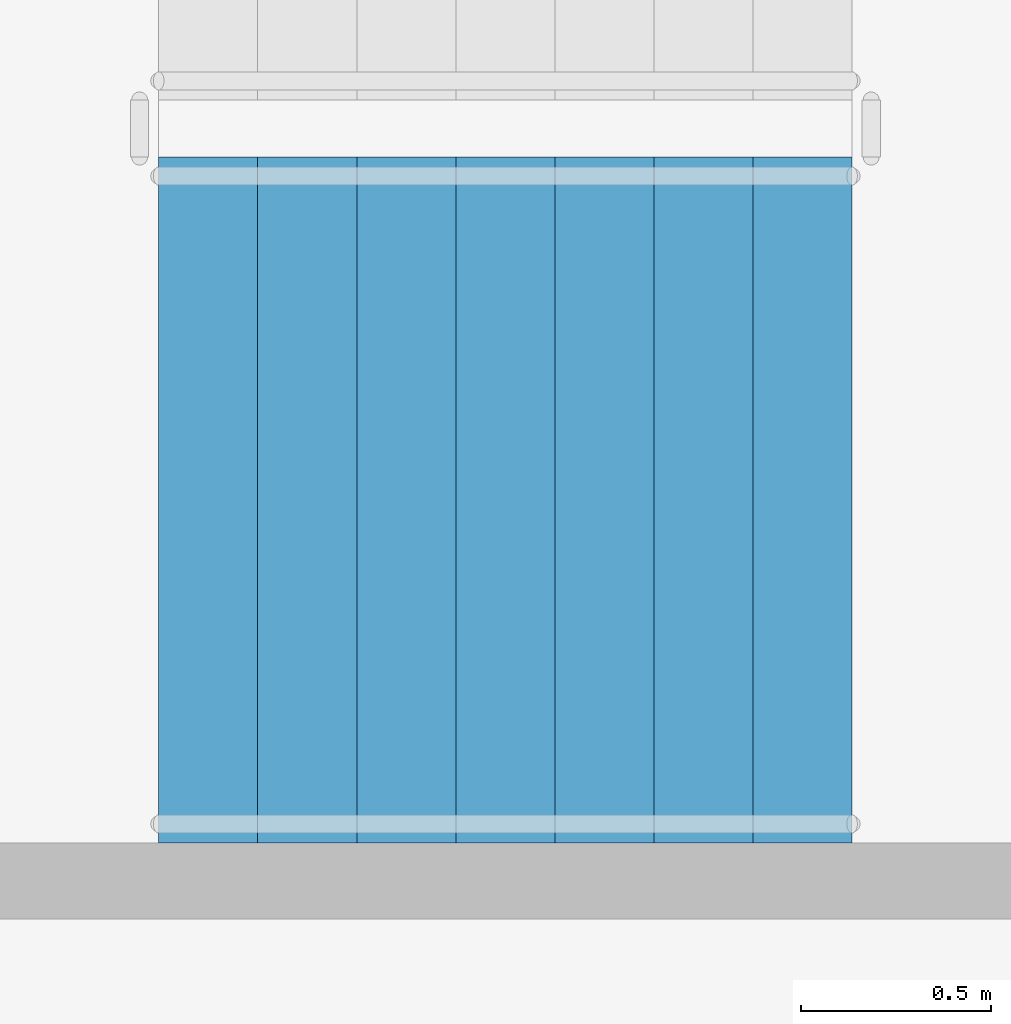
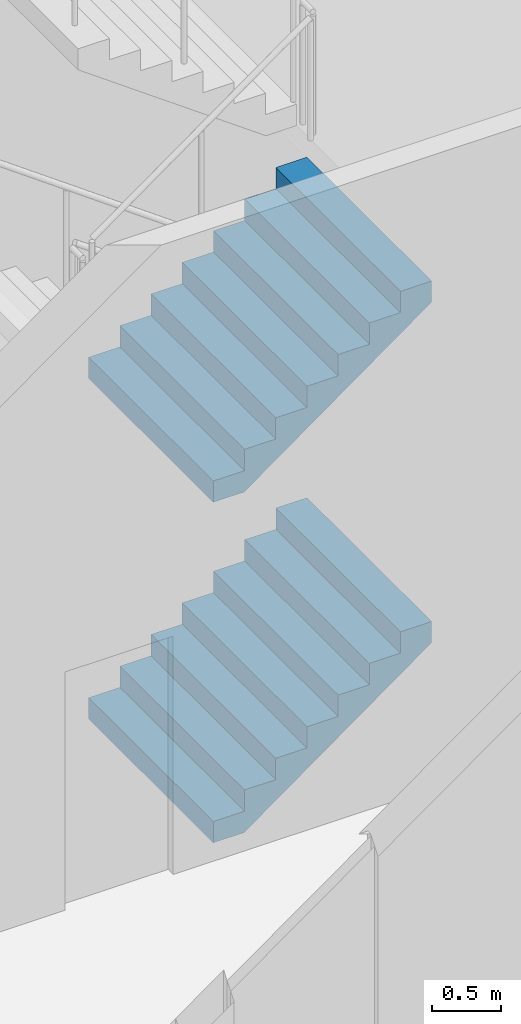
# One storey, part 48 of 75: 2 stair flights, 1 element without a shape of its own.
"""IFC4 building model written with IfcOpenShell, lengths in metres."""

from ifc_helpers import new_model, si_unit, direction, frame, origin, place, context, subcontext, project, spatial, faceted_brep, material, type_object, element, aggregate, save


model = new_model("IFC4")

# Units and contexts
model_context = context("Model", 3, precision=1e-05, world=origin(), true_north=direction((0.0, 1.0)))
body_context = subcontext(model_context, "Body", "Model", "MODEL_VIEW")
ifc_project = project(units=[si_unit("LENGTHUNIT", "METRE"), si_unit("AREAUNIT", "SQUARE_METRE"), si_unit("VOLUMEUNIT", "CUBIC_METRE"), si_unit("PLANEANGLEUNIT", "RADIAN"), si_unit("MASSUNIT", "GRAM", prefix="KILO")], contexts=[model_context])

# Site, building, storey
site_placement = place(None, origin())
site = spatial("IfcSite", under=ifc_project, at=site_placement, CompositionType="ELEMENT")
building_placement = place(site_placement, origin())
building = spatial("IfcBuilding", under=site, at=building_placement, Name="Ipe Terrace Towers", CompositionType="ELEMENT")
storey_placement = place(building_placement, origin())
storey = spatial("IfcBuildingStorey", under=building, at=storey_placement, Name="L00", CompositionType="ELEMENT", Elevation=0.0)

# Stair, stair flights
ifc_material_1 = material(Name="Concrete C30/37", Category="concrete")
stair_type = type_object("IfcStairType", Name="Protected exit stair", PredefinedType="HALF_TURN_STAIR", material=ifc_material_1)
stair_placement = place(storey_placement, origin())
stair = element("IfcStair", 1, at=stair_placement, inside=storey, type_object=stair_type, Name="L00 Podium exit stair PS5", PredefinedType="HALF_TURN_STAIR")
ifc_material_2 = material(Name="Concrete C30/37", Category="concrete")
stair_flight_type = type_object("IfcStairFlightType", Name="Exit stair flight 1800", PredefinedType="STRAIGHT", material=ifc_material_2)
stair_flight_1_placement = place(storey_placement, frame((-3.75, -22.5, 0.0), z_axis=(0.0, 0.0, 1.0), x_axis=(1.0, 0.0, 0.0)))
stair_flight_1 = element("IfcStairFlight", 2, at=stair_flight_1_placement, type_object=stair_flight_type, Name="PS5 flight 1", NumberOfRisers=8, NumberOfTreads=7, PredefinedType="STRAIGHT", RiserHeight=0.1875, TreadLength=0.26, context=body_context, shape_type="Brep", body=[
    faceted_brep([(0.25634765625, -0.89990234375, 0.0), (1.820068359375, -0.89990234375, 1.127685546875), (1.820068359375, -0.89990234375, 1.3125), (1.56005859375, -0.89990234375, 1.3125), (1.56005859375, -0.89990234375, 1.125), (1.300048828125, -0.89990234375, 1.125), (1.300048828125, -0.89990234375, 0.9375), (1.0400390625, -0.89990234375, 0.9375), (1.0400390625, -0.89990234375, 0.75), (0.780029296875, -0.89990234375, 0.75), (0.780029296875, -0.89990234375, 0.5625), (0.52001953125, -0.89990234375, 0.5625), (0.52001953125, -0.89990234375, 0.375), (0.260009765625, -0.89990234375, 0.375), (0.260009765625, -0.89990234375, 0.1875), (0.0, -0.89990234375, 0.1875), (0.0, -0.89990234375, 0.0), (0.0, 0.89990234375, 0.0), (0.0, 0.89990234375, 0.1875), (0.260009765625, 0.89990234375, 0.1875), (0.260009765625, 0.89990234375, 0.375), (0.52001953125, 0.89990234375, 0.375), (0.52001953125, 0.89990234375, 0.5625), (0.780029296875, 0.89990234375, 0.5625), (0.780029296875, 0.89990234375, 0.75), (1.0400390625, 0.89990234375, 0.75), (1.0400390625, 0.89990234375, 0.9375), (1.300048828125, 0.89990234375, 0.9375), (1.300048828125, 0.89990234375, 1.125), (1.56005859375, 0.89990234375, 1.125), (1.56005859375, 0.89990234375, 1.3125), (1.820068359375, 0.89990234375, 1.3125), (1.820068359375, 0.89990234375, 1.127685546875), (0.25634765625, 0.89990234375, 0.0), (0.0, -0.300048828125, 0.1875), (0.0, -0.1201171875, 0.1875), (0.0, -0.06005859375, 0.1875), (0.0, -0.030029296875, 0.1875), (0.0, -0.010009765625, 0.1875), (0.0, 0.0, 0.1875), (0.0, 0.010009765625, 0.1875), (0.0, 0.030029296875, 0.1875), (0.0, 0.06005859375, 0.1875), (0.0, 0.1201171875, 0.1875), (0.0, 0.300048828125, 0.1875), (0.0, 0.300048828125, 0.0), (0.0, 0.1201171875, 0.0), (0.0, 0.06005859375, 0.0), (0.0, 0.030029296875, 0.0), (0.0, 0.010009765625, 0.0), (0.0, 0.0, 0.0), (0.0, -0.010009765625, 0.0), (0.0, -0.030029296875, 0.0), (0.0, -0.06005859375, 0.0), (0.0, -0.1201171875, 0.0), (0.0, -0.300048828125, 0.0), (0.260009765625, -0.300048828125, 0.1875), (0.260009765625, -0.1201171875, 0.1875), (0.260009765625, -0.06005859375, 0.1875), (0.260009765625, -0.030029296875, 0.1875), (0.260009765625, -0.010009765625, 0.1875), (0.260009765625, 0.0, 0.1875), (0.260009765625, 0.010009765625, 0.1875), (0.260009765625, 0.030029296875, 0.1875), (0.260009765625, 0.06005859375, 0.1875), (0.260009765625, 0.1201171875, 0.1875), (0.260009765625, 0.300048828125, 0.1875), (0.260009765625, -0.300048828125, 0.375), (0.260009765625, -0.1201171875, 0.375), (0.260009765625, -0.06005859375, 0.375), (0.260009765625, -0.030029296875, 0.375), (0.260009765625, -0.010009765625, 0.375), (0.260009765625, 0.0, 0.375), (0.260009765625, 0.010009765625, 0.375), (0.260009765625, 0.030029296875, 0.375), (0.260009765625, 0.06005859375, 0.375), (0.260009765625, 0.1201171875, 0.375), (0.260009765625, 0.300048828125, 0.375), (0.52001953125, -0.300048828125, 0.375), (0.52001953125, -0.1201171875, 0.375), (0.52001953125, -0.06005859375, 0.375), (0.52001953125, -0.030029296875, 0.375), (0.52001953125, -0.010009765625, 0.375), (0.52001953125, 0.0, 0.375), (0.52001953125, 0.010009765625, 0.375), (0.52001953125, 0.030029296875, 0.375), (0.52001953125, 0.06005859375, 0.375), (0.52001953125, 0.1201171875, 0.375), (0.52001953125, 0.300048828125, 0.375), (0.52001953125, -0.300048828125, 0.5625), (0.52001953125, -0.1201171875, 0.5625), (0.52001953125, -0.06005859375, 0.5625), (0.52001953125, -0.030029296875, 0.5625), (0.52001953125, -0.010009765625, 0.5625), (0.52001953125, 0.0, 0.5625), (0.52001953125, 0.010009765625, 0.5625), (0.52001953125, 0.030029296875, 0.5625), (0.52001953125, 0.06005859375, 0.5625), (0.52001953125, 0.1201171875, 0.5625), (0.52001953125, 0.300048828125, 0.5625), (0.780029296875, -0.300048828125, 0.5625), (0.780029296875, -0.1201171875, 0.5625), (0.780029296875, -0.06005859375, 0.5625), (0.780029296875, -0.030029296875, 0.5625), (0.780029296875, -0.010009765625, 0.5625), (0.780029296875, 0.0, 0.5625), (0.780029296875, 0.010009765625, 0.5625), (0.780029296875, 0.030029296875, 0.5625), (0.780029296875, 0.06005859375, 0.5625), (0.780029296875, 0.1201171875, 0.5625), (0.780029296875, 0.300048828125, 0.5625), (0.780029296875, -0.300048828125, 0.75), (0.780029296875, -0.1201171875, 0.75), (0.780029296875, -0.06005859375, 0.75), (0.780029296875, -0.030029296875, 0.75), (0.780029296875, -0.010009765625, 0.75), (0.780029296875, 0.0, 0.75), (0.780029296875, 0.010009765625, 0.75), (0.780029296875, 0.030029296875, 0.75), (0.780029296875, 0.06005859375, 0.75), (0.780029296875, 0.1201171875, 0.75), (0.780029296875, 0.300048828125, 0.75), (1.0400390625, -0.300048828125, 0.75), (1.0400390625, -0.1201171875, 0.75), (1.0400390625, -0.06005859375, 0.75), (1.0400390625, -0.030029296875, 0.75), (1.0400390625, -0.010009765625, 0.75), (1.0400390625, 0.0, 0.75), (1.0400390625, 0.010009765625, 0.75), (1.0400390625, 0.030029296875, 0.75), (1.0400390625, 0.06005859375, 0.75), (1.0400390625, 0.1201171875, 0.75), (1.0400390625, 0.300048828125, 0.75), (1.0400390625, -0.300048828125, 0.9375), (1.0400390625, -0.1201171875, 0.9375), (1.0400390625, -0.06005859375, 0.9375), (1.0400390625, -0.030029296875, 0.9375), (1.0400390625, -0.010009765625, 0.9375), (1.0400390625, 0.0, 0.9375), (1.0400390625, 0.010009765625, 0.9375), (1.0400390625, 0.030029296875, 0.9375), (1.0400390625, 0.06005859375, 0.9375), (1.0400390625, 0.1201171875, 0.9375), (1.0400390625, 0.300048828125, 0.9375), (1.300048828125, -0.300048828125, 0.9375), (1.300048828125, -0.1201171875, 0.9375), (1.300048828125, -0.06005859375, 0.9375), (1.300048828125, -0.030029296875, 0.9375), (1.300048828125, -0.010009765625, 0.9375), (1.300048828125, 0.0, 0.9375), (1.300048828125, 0.010009765625, 0.9375), (1.300048828125, 0.030029296875, 0.9375), (1.300048828125, 0.06005859375, 0.9375), (1.300048828125, 0.1201171875, 0.9375), (1.300048828125, 0.300048828125, 0.9375), (1.300048828125, -0.300048828125, 1.125), (1.300048828125, -0.1201171875, 1.125), (1.300048828125, -0.06005859375, 1.125), (1.300048828125, -0.030029296875, 1.125), (1.300048828125, -0.010009765625, 1.125), (1.300048828125, 0.0, 1.125), (1.300048828125, 0.010009765625, 1.125), (1.300048828125, 0.030029296875, 1.125), (1.300048828125, 0.06005859375, 1.125), (1.300048828125, 0.1201171875, 1.125), (1.300048828125, 0.300048828125, 1.125), (1.56005859375, -0.300048828125, 1.125), (1.56005859375, -0.1201171875, 1.125), (1.56005859375, -0.06005859375, 1.125), (1.56005859375, -0.030029296875, 1.125), (1.56005859375, -0.010009765625, 1.125), (1.56005859375, 0.0, 1.125), (1.56005859375, 0.010009765625, 1.125), (1.56005859375, 0.030029296875, 1.125), (1.56005859375, 0.06005859375, 1.125), (1.56005859375, 0.1201171875, 1.125), (1.56005859375, 0.300048828125, 1.125), (1.56005859375, -0.300048828125, 1.3125), (1.56005859375, -0.1201171875, 1.3125), (1.56005859375, -0.06005859375, 1.3125), (1.56005859375, -0.030029296875, 1.3125), (1.56005859375, -0.010009765625, 1.3125), (1.56005859375, 0.0, 1.3125), (1.56005859375, 0.010009765625, 1.3125), (1.56005859375, 0.030029296875, 1.3125), (1.56005859375, 0.06005859375, 1.3125), (1.56005859375, 0.1201171875, 1.3125), (1.56005859375, 0.300048828125, 1.3125), (1.820068359375, -0.300048828125, 1.3125), (1.820068359375, -0.1201171875, 1.3125), (1.820068359375, -0.06005859375, 1.3125), (1.820068359375, -0.030029296875, 1.3125), (1.820068359375, -0.010009765625, 1.3125), (1.820068359375, 0.0, 1.3125), (1.820068359375, 0.010009765625, 1.3125), (1.820068359375, 0.030029296875, 1.3125), (1.820068359375, 0.06005859375, 1.3125), (1.820068359375, 0.1201171875, 1.3125), (1.820068359375, 0.300048828125, 1.3125), (1.820068359375, -0.300048828125, 1.127685546875), (1.820068359375, -0.1201171875, 1.127685546875), (1.820068359375, -0.06005859375, 1.127685546875), (1.820068359375, -0.030029296875, 1.127685546875), (1.820068359375, -0.010009765625, 1.127685546875), (1.820068359375, 0.0, 1.127685546875), (1.820068359375, 0.010009765625, 1.127685546875), (1.820068359375, 0.030029296875, 1.127685546875), (1.820068359375, 0.06005859375, 1.127685546875), (1.820068359375, 0.1201171875, 1.127685546875), (1.820068359375, 0.300048828125, 1.127685546875), (0.25634765625, -0.300048828125, 0.0), (0.25634765625, -0.1201171875, 0.0), (0.25634765625, -0.06005859375, 0.0), (0.25634765625, -0.030029296875, 0.0), (0.25634765625, -0.010009765625, 0.0), (0.25634765625, 0.0, 0.0), (0.25634765625, 0.010009765625, 0.0), (0.25634765625, 0.030029296875, 0.0), (0.25634765625, 0.06005859375, 0.0), (0.25634765625, 0.1201171875, 0.0), (0.25634765625, 0.300048828125, 0.0)], [[[0, 1, 2, 3, 4, 5, 6, 7, 8, 9, 10, 11, 12, 13, 14, 15, 16]], [[17, 18, 19, 20, 21, 22, 23, 24, 25, 26, 27, 28, 29, 30, 31, 32, 33]], [[15, 34, 35, 36, 37, 38, 39, 40, 41, 42, 43, 44, 18, 17, 45, 46, 47, 48, 49, 50, 51, 52, 53, 54, 55, 16]], [[14, 56, 57, 58, 59, 60, 61, 62, 63, 64, 65, 66, 19, 18, 44, 43, 42, 41, 40, 39, 38, 37, 36, 35, 34, 15]], [[13, 67, 68, 69, 70, 71, 72, 73, 74, 75, 76, 77, 20, 19, 66, 65, 64, 63, 62, 61, 60, 59, 58, 57, 56, 14]], [[12, 78, 79, 80, 81, 82, 83, 84, 85, 86, 87, 88, 21, 20, 77, 76, 75, 74, 73, 72, 71, 70, 69, 68, 67, 13]], [[11, 89, 90, 91, 92, 93, 94, 95, 96, 97, 98, 99, 22, 21, 88, 87, 86, 85, 84, 83, 82, 81, 80, 79, 78, 12]], [[10, 100, 101, 102, 103, 104, 105, 106, 107, 108, 109, 110, 23, 22, 99, 98, 97, 96, 95, 94, 93, 92, 91, 90, 89, 11]], [[9, 111, 112, 113, 114, 115, 116, 117, 118, 119, 120, 121, 24, 23, 110, 109, 108, 107, 106, 105, 104, 103, 102, 101, 100, 10]], [[8, 122, 123, 124, 125, 126, 127, 128, 129, 130, 131, 132, 25, 24, 121, 120, 119, 118, 117, 116, 115, 114, 113, 112, 111, 9]], [[7, 133, 134, 135, 136, 137, 138, 139, 140, 141, 142, 143, 26, 25, 132, 131, 130, 129, 128, 127, 126, 125, 124, 123, 122, 8]], [[6, 144, 145, 146, 147, 148, 149, 150, 151, 152, 153, 154, 27, 26, 143, 142, 141, 140, 139, 138, 137, 136, 135, 134, 133, 7]], [[5, 155, 156, 157, 158, 159, 160, 161, 162, 163, 164, 165, 28, 27, 154, 153, 152, 151, 150, 149, 148, 147, 146, 145, 144, 6]], [[4, 166, 167, 168, 169, 170, 171, 172, 173, 174, 175, 176, 29, 28, 165, 164, 163, 162, 161, 160, 159, 158, 157, 156, 155, 5]], [[3, 177, 178, 179, 180, 181, 182, 183, 184, 185, 186, 187, 30, 29, 176, 175, 174, 173, 172, 171, 170, 169, 168, 167, 166, 4]], [[2, 188, 189, 190, 191, 192, 193, 194, 195, 196, 197, 198, 31, 30, 187, 186, 185, 184, 183, 182, 181, 180, 179, 178, 177, 3]], [[1, 199, 200, 201, 202, 203, 204, 205, 206, 207, 208, 209, 32, 31, 198, 197, 196, 195, 194, 193, 192, 191, 190, 189, 188, 2]], [[0, 210, 211, 212, 213, 214, 215, 216, 217, 218, 219, 220, 33, 32, 209, 208, 207, 206, 205, 204, 203, 202, 201, 200, 199, 1]], [[16, 55, 54, 53, 52, 51, 50, 49, 48, 47, 46, 45, 17, 33, 220, 219, 218, 217, 216, 215, 214, 213, 212, 211, 210, 0]]]),
])
stair_flight_2_placement = place(storey_placement, frame((-3.75, -22.5, 3.0), z_axis=(0.0, 0.0, 1.0), x_axis=(1.0, 0.0, 0.0)))
stair_flight_2 = element("IfcStairFlight", 3, at=stair_flight_2_placement, type_object=stair_flight_type, Name="PS5 flight 3", NumberOfRisers=8, NumberOfTreads=7, PredefinedType="STRAIGHT", RiserHeight=0.1875, TreadLength=0.26, context=body_context, shape_type="Brep", body=[
    faceted_brep([(0.25634765625, -0.89990234375, 0.0), (1.820068359375, -0.89990234375, 1.127685546875), (1.820068359375, -0.89990234375, 1.3125), (1.56005859375, -0.89990234375, 1.3125), (1.56005859375, -0.89990234375, 1.125), (1.300048828125, -0.89990234375, 1.125), (1.300048828125, -0.89990234375, 0.9375), (1.0400390625, -0.89990234375, 0.9375), (1.0400390625, -0.89990234375, 0.75), (0.780029296875, -0.89990234375, 0.75), (0.780029296875, -0.89990234375, 0.5625), (0.52001953125, -0.89990234375, 0.5625), (0.52001953125, -0.89990234375, 0.375), (0.260009765625, -0.89990234375, 0.375), (0.260009765625, -0.89990234375, 0.1875), (0.0, -0.89990234375, 0.1875), (0.0, -0.89990234375, 0.0), (0.0, 0.89990234375, 0.0), (0.0, 0.89990234375, 0.1875), (0.260009765625, 0.89990234375, 0.1875), (0.260009765625, 0.89990234375, 0.375), (0.52001953125, 0.89990234375, 0.375), (0.52001953125, 0.89990234375, 0.5625), (0.780029296875, 0.89990234375, 0.5625), (0.780029296875, 0.89990234375, 0.75), (1.0400390625, 0.89990234375, 0.75), (1.0400390625, 0.89990234375, 0.9375), (1.300048828125, 0.89990234375, 0.9375), (1.300048828125, 0.89990234375, 1.125), (1.56005859375, 0.89990234375, 1.125), (1.56005859375, 0.89990234375, 1.3125), (1.820068359375, 0.89990234375, 1.3125), (1.820068359375, 0.89990234375, 1.127685546875), (0.25634765625, 0.89990234375, 0.0), (0.0, -0.300048828125, 0.1875), (0.0, -0.1201171875, 0.1875), (0.0, -0.06005859375, 0.1875), (0.0, -0.030029296875, 0.1875), (0.0, -0.010009765625, 0.1875), (0.0, 0.0, 0.1875), (0.0, 0.010009765625, 0.1875), (0.0, 0.030029296875, 0.1875), (0.0, 0.06005859375, 0.1875), (0.0, 0.1201171875, 0.1875), (0.0, 0.300048828125, 0.1875), (0.0, 0.300048828125, 0.0), (0.0, 0.1201171875, 0.0), (0.0, 0.06005859375, 0.0), (0.0, 0.030029296875, 0.0), (0.0, 0.010009765625, 0.0), (0.0, 0.0, 0.0), (0.0, -0.010009765625, 0.0), (0.0, -0.030029296875, 0.0), (0.0, -0.06005859375, 0.0), (0.0, -0.1201171875, 0.0), (0.0, -0.300048828125, 0.0), (0.260009765625, -0.300048828125, 0.1875), (0.260009765625, -0.1201171875, 0.1875), (0.260009765625, -0.06005859375, 0.1875), (0.260009765625, -0.030029296875, 0.1875), (0.260009765625, -0.010009765625, 0.1875), (0.260009765625, 0.0, 0.1875), (0.260009765625, 0.010009765625, 0.1875), (0.260009765625, 0.030029296875, 0.1875), (0.260009765625, 0.06005859375, 0.1875), (0.260009765625, 0.1201171875, 0.1875), (0.260009765625, 0.300048828125, 0.1875), (0.260009765625, -0.300048828125, 0.375), (0.260009765625, -0.1201171875, 0.375), (0.260009765625, -0.06005859375, 0.375), (0.260009765625, -0.030029296875, 0.375), (0.260009765625, -0.010009765625, 0.375), (0.260009765625, 0.0, 0.375), (0.260009765625, 0.010009765625, 0.375), (0.260009765625, 0.030029296875, 0.375), (0.260009765625, 0.06005859375, 0.375), (0.260009765625, 0.1201171875, 0.375), (0.260009765625, 0.300048828125, 0.375), (0.52001953125, -0.300048828125, 0.375), (0.52001953125, -0.1201171875, 0.375), (0.52001953125, -0.06005859375, 0.375), (0.52001953125, -0.030029296875, 0.375), (0.52001953125, -0.010009765625, 0.375), (0.52001953125, 0.0, 0.375), (0.52001953125, 0.010009765625, 0.375), (0.52001953125, 0.030029296875, 0.375), (0.52001953125, 0.06005859375, 0.375), (0.52001953125, 0.1201171875, 0.375), (0.52001953125, 0.300048828125, 0.375), (0.52001953125, -0.300048828125, 0.5625), (0.52001953125, -0.1201171875, 0.5625), (0.52001953125, -0.06005859375, 0.5625), (0.52001953125, -0.030029296875, 0.5625), (0.52001953125, -0.010009765625, 0.5625), (0.52001953125, 0.0, 0.5625), (0.52001953125, 0.010009765625, 0.5625), (0.52001953125, 0.030029296875, 0.5625), (0.52001953125, 0.06005859375, 0.5625), (0.52001953125, 0.1201171875, 0.5625), (0.52001953125, 0.300048828125, 0.5625), (0.780029296875, -0.300048828125, 0.5625), (0.780029296875, -0.1201171875, 0.5625), (0.780029296875, -0.06005859375, 0.5625), (0.780029296875, -0.030029296875, 0.5625), (0.780029296875, -0.010009765625, 0.5625), (0.780029296875, 0.0, 0.5625), (0.780029296875, 0.010009765625, 0.5625), (0.780029296875, 0.030029296875, 0.5625), (0.780029296875, 0.06005859375, 0.5625), (0.780029296875, 0.1201171875, 0.5625), (0.780029296875, 0.300048828125, 0.5625), (0.780029296875, -0.300048828125, 0.75), (0.780029296875, -0.1201171875, 0.75), (0.780029296875, -0.06005859375, 0.75), (0.780029296875, -0.030029296875, 0.75), (0.780029296875, -0.010009765625, 0.75), (0.780029296875, 0.0, 0.75), (0.780029296875, 0.010009765625, 0.75), (0.780029296875, 0.030029296875, 0.75), (0.780029296875, 0.06005859375, 0.75), (0.780029296875, 0.1201171875, 0.75), (0.780029296875, 0.300048828125, 0.75), (1.0400390625, -0.300048828125, 0.75), (1.0400390625, -0.1201171875, 0.75), (1.0400390625, -0.06005859375, 0.75), (1.0400390625, -0.030029296875, 0.75), (1.0400390625, -0.010009765625, 0.75), (1.0400390625, 0.0, 0.75), (1.0400390625, 0.010009765625, 0.75), (1.0400390625, 0.030029296875, 0.75), (1.0400390625, 0.06005859375, 0.75), (1.0400390625, 0.1201171875, 0.75), (1.0400390625, 0.300048828125, 0.75), (1.0400390625, -0.300048828125, 0.9375), (1.0400390625, -0.1201171875, 0.9375), (1.0400390625, -0.06005859375, 0.9375), (1.0400390625, -0.030029296875, 0.9375), (1.0400390625, -0.010009765625, 0.9375), (1.0400390625, 0.0, 0.9375), (1.0400390625, 0.010009765625, 0.9375), (1.0400390625, 0.030029296875, 0.9375), (1.0400390625, 0.06005859375, 0.9375), (1.0400390625, 0.1201171875, 0.9375), (1.0400390625, 0.300048828125, 0.9375), (1.300048828125, -0.300048828125, 0.9375), (1.300048828125, -0.1201171875, 0.9375), (1.300048828125, -0.06005859375, 0.9375), (1.300048828125, -0.030029296875, 0.9375), (1.300048828125, -0.010009765625, 0.9375), (1.300048828125, 0.0, 0.9375), (1.300048828125, 0.010009765625, 0.9375), (1.300048828125, 0.030029296875, 0.9375), (1.300048828125, 0.06005859375, 0.9375), (1.300048828125, 0.1201171875, 0.9375), (1.300048828125, 0.300048828125, 0.9375), (1.300048828125, -0.300048828125, 1.125), (1.300048828125, -0.1201171875, 1.125), (1.300048828125, -0.06005859375, 1.125), (1.300048828125, -0.030029296875, 1.125), (1.300048828125, -0.010009765625, 1.125), (1.300048828125, 0.0, 1.125), (1.300048828125, 0.010009765625, 1.125), (1.300048828125, 0.030029296875, 1.125), (1.300048828125, 0.06005859375, 1.125), (1.300048828125, 0.1201171875, 1.125), (1.300048828125, 0.300048828125, 1.125), (1.56005859375, -0.300048828125, 1.125), (1.56005859375, -0.1201171875, 1.125), (1.56005859375, -0.06005859375, 1.125), (1.56005859375, -0.030029296875, 1.125), (1.56005859375, -0.010009765625, 1.125), (1.56005859375, 0.0, 1.125), (1.56005859375, 0.010009765625, 1.125), (1.56005859375, 0.030029296875, 1.125), (1.56005859375, 0.06005859375, 1.125), (1.56005859375, 0.1201171875, 1.125), (1.56005859375, 0.300048828125, 1.125), (1.56005859375, -0.300048828125, 1.3125), (1.56005859375, -0.1201171875, 1.3125), (1.56005859375, -0.06005859375, 1.3125), (1.56005859375, -0.030029296875, 1.3125), (1.56005859375, -0.010009765625, 1.3125), (1.56005859375, 0.0, 1.3125), (1.56005859375, 0.010009765625, 1.3125), (1.56005859375, 0.030029296875, 1.3125), (1.56005859375, 0.06005859375, 1.3125), (1.56005859375, 0.1201171875, 1.3125), (1.56005859375, 0.300048828125, 1.3125), (1.820068359375, -0.300048828125, 1.3125), (1.820068359375, -0.1201171875, 1.3125), (1.820068359375, -0.06005859375, 1.3125), (1.820068359375, -0.030029296875, 1.3125), (1.820068359375, -0.010009765625, 1.3125), (1.820068359375, 0.0, 1.3125), (1.820068359375, 0.010009765625, 1.3125), (1.820068359375, 0.030029296875, 1.3125), (1.820068359375, 0.06005859375, 1.3125), (1.820068359375, 0.1201171875, 1.3125), (1.820068359375, 0.300048828125, 1.3125), (1.820068359375, -0.300048828125, 1.127685546875), (1.820068359375, -0.1201171875, 1.127685546875), (1.820068359375, -0.06005859375, 1.127685546875), (1.820068359375, -0.030029296875, 1.127685546875), (1.820068359375, -0.010009765625, 1.127685546875), (1.820068359375, 0.0, 1.127685546875), (1.820068359375, 0.010009765625, 1.127685546875), (1.820068359375, 0.030029296875, 1.127685546875), (1.820068359375, 0.06005859375, 1.127685546875), (1.820068359375, 0.1201171875, 1.127685546875), (1.820068359375, 0.300048828125, 1.127685546875), (0.25634765625, -0.300048828125, 0.0), (0.25634765625, -0.1201171875, 0.0), (0.25634765625, -0.06005859375, 0.0), (0.25634765625, -0.030029296875, 0.0), (0.25634765625, -0.010009765625, 0.0), (0.25634765625, 0.0, 0.0), (0.25634765625, 0.010009765625, 0.0), (0.25634765625, 0.030029296875, 0.0), (0.25634765625, 0.06005859375, 0.0), (0.25634765625, 0.1201171875, 0.0), (0.25634765625, 0.300048828125, 0.0)], [[[0, 1, 2, 3, 4, 5, 6, 7, 8, 9, 10, 11, 12, 13, 14, 15, 16]], [[17, 18, 19, 20, 21, 22, 23, 24, 25, 26, 27, 28, 29, 30, 31, 32, 33]], [[15, 34, 35, 36, 37, 38, 39, 40, 41, 42, 43, 44, 18, 17, 45, 46, 47, 48, 49, 50, 51, 52, 53, 54, 55, 16]], [[14, 56, 57, 58, 59, 60, 61, 62, 63, 64, 65, 66, 19, 18, 44, 43, 42, 41, 40, 39, 38, 37, 36, 35, 34, 15]], [[13, 67, 68, 69, 70, 71, 72, 73, 74, 75, 76, 77, 20, 19, 66, 65, 64, 63, 62, 61, 60, 59, 58, 57, 56, 14]], [[12, 78, 79, 80, 81, 82, 83, 84, 85, 86, 87, 88, 21, 20, 77, 76, 75, 74, 73, 72, 71, 70, 69, 68, 67, 13]], [[11, 89, 90, 91, 92, 93, 94, 95, 96, 97, 98, 99, 22, 21, 88, 87, 86, 85, 84, 83, 82, 81, 80, 79, 78, 12]], [[10, 100, 101, 102, 103, 104, 105, 106, 107, 108, 109, 110, 23, 22, 99, 98, 97, 96, 95, 94, 93, 92, 91, 90, 89, 11]], [[9, 111, 112, 113, 114, 115, 116, 117, 118, 119, 120, 121, 24, 23, 110, 109, 108, 107, 106, 105, 104, 103, 102, 101, 100, 10]], [[8, 122, 123, 124, 125, 126, 127, 128, 129, 130, 131, 132, 25, 24, 121, 120, 119, 118, 117, 116, 115, 114, 113, 112, 111, 9]], [[7, 133, 134, 135, 136, 137, 138, 139, 140, 141, 142, 143, 26, 25, 132, 131, 130, 129, 128, 127, 126, 125, 124, 123, 122, 8]], [[6, 144, 145, 146, 147, 148, 149, 150, 151, 152, 153, 154, 27, 26, 143, 142, 141, 140, 139, 138, 137, 136, 135, 134, 133, 7]], [[5, 155, 156, 157, 158, 159, 160, 161, 162, 163, 164, 165, 28, 27, 154, 153, 152, 151, 150, 149, 148, 147, 146, 145, 144, 6]], [[4, 166, 167, 168, 169, 170, 171, 172, 173, 174, 175, 176, 29, 28, 165, 164, 163, 162, 161, 160, 159, 158, 157, 156, 155, 5]], [[3, 177, 178, 179, 180, 181, 182, 183, 184, 185, 186, 187, 30, 29, 176, 175, 174, 173, 172, 171, 170, 169, 168, 167, 166, 4]], [[2, 188, 189, 190, 191, 192, 193, 194, 195, 196, 197, 198, 31, 30, 187, 186, 185, 184, 183, 182, 181, 180, 179, 178, 177, 3]], [[1, 199, 200, 201, 202, 203, 204, 205, 206, 207, 208, 209, 32, 31, 198, 197, 196, 195, 194, 193, 192, 191, 190, 189, 188, 2]], [[0, 210, 211, 212, 213, 214, 215, 216, 217, 218, 219, 220, 33, 32, 209, 208, 207, 206, 205, 204, 203, 202, 201, 200, 199, 1]], [[16, 55, 54, 53, 52, 51, 50, 49, 48, 47, 46, 45, 17, 33, 220, 219, 218, 217, 216, 215, 214, 213, 212, 211, 210, 0]]]),
])
aggregate(stair, [stair_flight_1, stair_flight_2])

save(model, "model.ifc")
